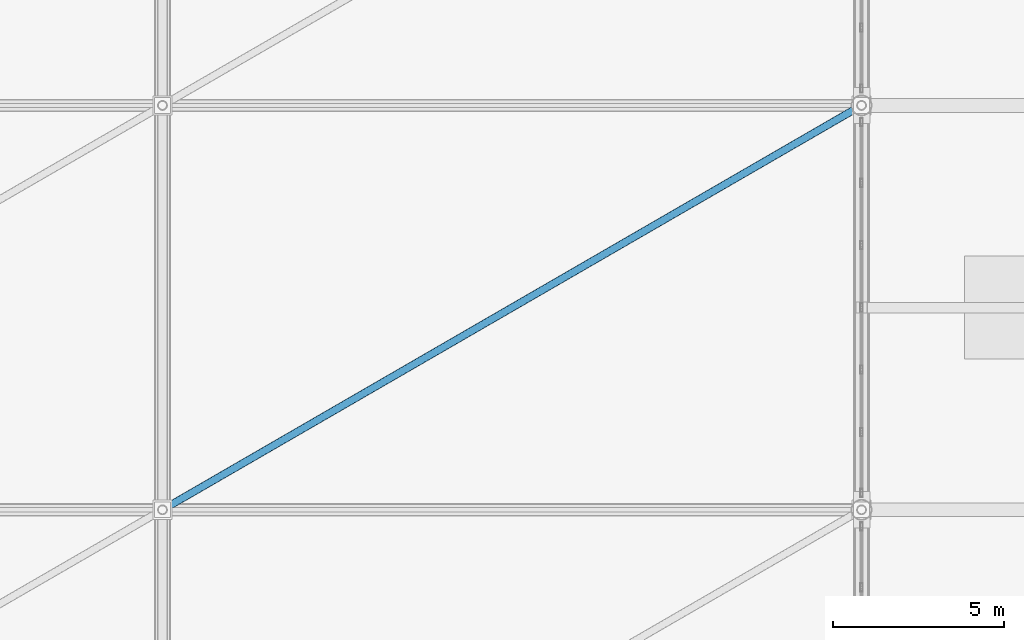
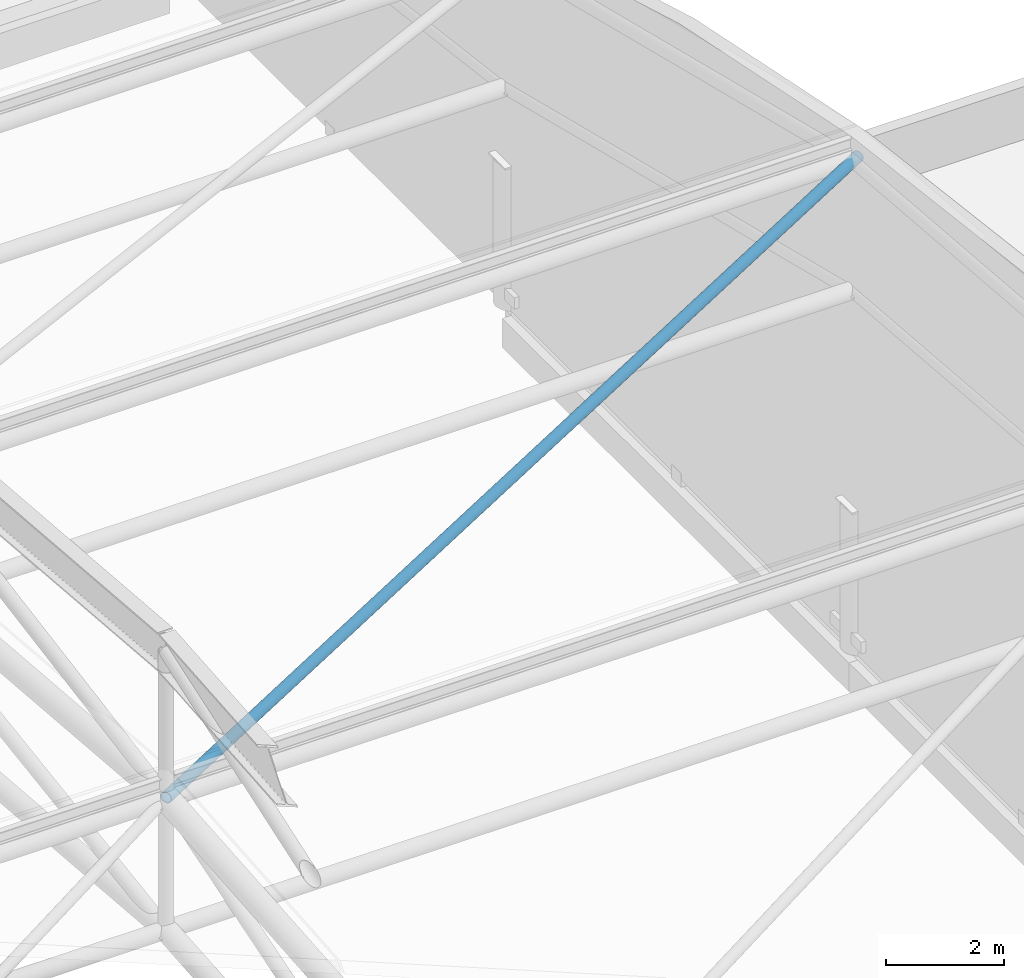
# One storey, part 59 of 135: 1 member.
"""IFC4 building model written with IfcOpenShell, lengths in metres."""

from ifc_helpers import new_model, si_unit, direction, frame, origin, origin_2d, place, context, subcontext, project, spatial, hollow_circle, extrude, material, material_profile, profile_set, type_object, element, save


model = new_model("IFC4")

# Units and contexts
model_context = context("Model", 3, precision=1e-05, world=origin(), true_north=direction((0.0, 1.0)))
body_context = subcontext(model_context, "Body", "Model", "MODEL_VIEW")
ifc_project = project(units=[si_unit("LENGTHUNIT", "METRE"), si_unit("AREAUNIT", "SQUARE_METRE"), si_unit("VOLUMEUNIT", "CUBIC_METRE"), si_unit("PLANEANGLEUNIT", "RADIAN"), si_unit("MASSUNIT", "GRAM", prefix="KILO")], contexts=[model_context])

# Site, building, storey
site_placement = place(None, origin())
site = spatial("IfcSite", under=ifc_project, at=site_placement, CompositionType="ELEMENT")
building_placement = place(site_placement, origin())
building = spatial("IfcBuilding", under=site, at=building_placement, Name="Brelvane Convention Centre", CompositionType="ELEMENT")
storey_placement = place(building_placement, frame((0.0, 0.0, 15.0)))
storey = spatial("IfcBuildingStorey", under=building, at=storey_placement, Name="L03", CompositionType="ELEMENT", Elevation=15.0)

# Member
ifc_material = material(Name="Steel E350 (350 MPa)", Category="steel")
ifc_material_profile = material_profile(ifc_material, hollow_circle(Radius=0.109619140625, WallThickness=0.010009765625, at=origin_2d()), Name="CHS 219.1x10.0")
ifc_profile_set = profile_set([ifc_material_profile], Name="Steel E350 (350 MPa)")
member_type = type_object("IfcMemberType", Name="Steel Brace SF-DG2 (CHS 219.1x10.0)", PredefinedType="BRACE", material=ifc_profile_set)
member_placement = place(storey_placement, frame((122.39990234375, 64.199951171875, 11.139892578125), z_axis=(0.864876490486, 0.500270173346, -0.041453707493), x_axis=(-0.500700562715, 0.865620555727, 0.0)))
element("IfcMember", 1, at=member_placement, inside=storey, type_object=member_type, Name="SF_EXH Roof Diaphragm Brace PB7.4", PredefinedType="BRACE", context=body_context, shape_type="SweptSolid", body=[
    extrude(hollow_circle(Radius=0.109619140625, WallThickness=0.010009765625, at=origin_2d()), origin(), (0.0, 0.0, 1.0), 23.58740234375),
])

save(model, "model.ifc")
